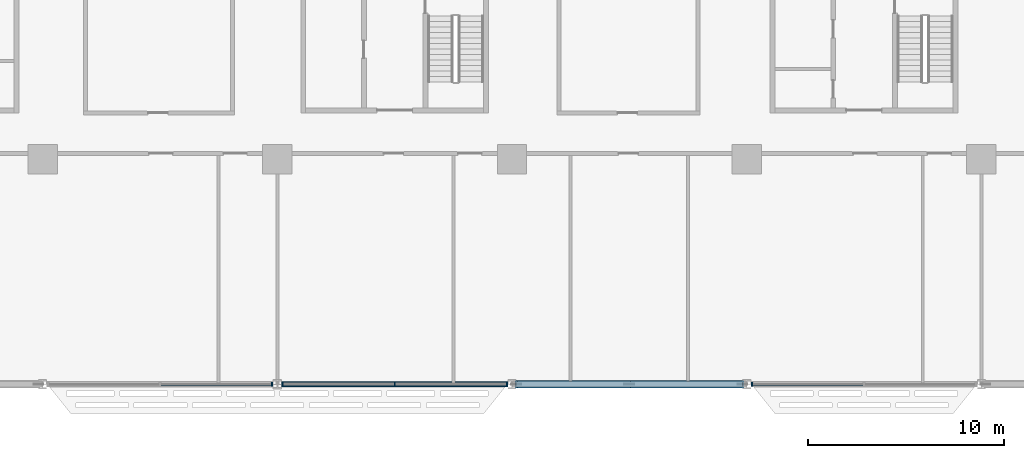
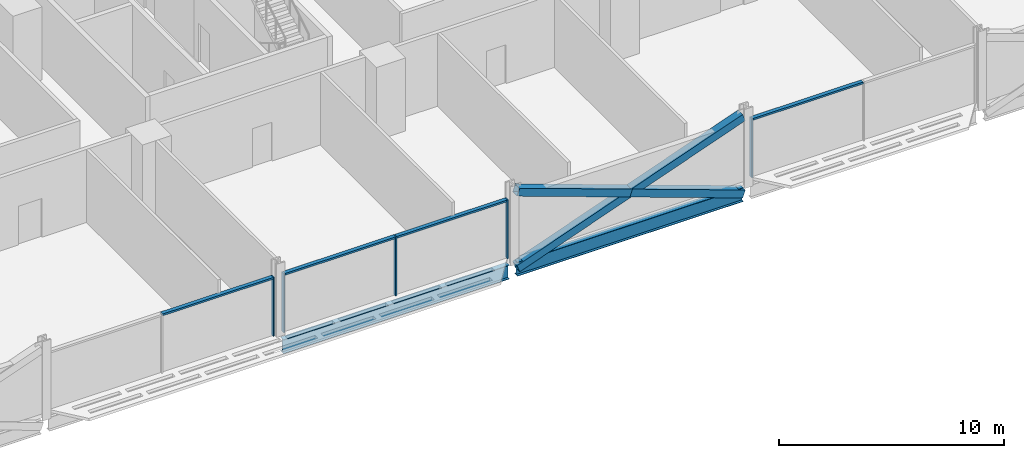
# One storey, part 5 of 29: 12 members, 2 beams, 3 elements without a shape of their own.
"""IFC4 building model written with IfcOpenShell, lengths in metres."""

from ifc_helpers import new_model, si_unit, direction, frame, origin, origin_2d, place, context, subcontext, project, spatial, rectangle, hollow_rectangle, i_section, extrude, material, material_profile, profile_set, type_object, element, aggregate, save


model = new_model("IFC4")

# Units and contexts
model_context = context("Model", 3, precision=1e-05, world=origin(), true_north=direction((0.0, 1.0)))
body_context = subcontext(model_context, "Body", "Model", "MODEL_VIEW")
ifc_project = project(units=[si_unit("LENGTHUNIT", "METRE"), si_unit("AREAUNIT", "SQUARE_METRE"), si_unit("VOLUMEUNIT", "CUBIC_METRE"), si_unit("PLANEANGLEUNIT", "RADIAN"), si_unit("MASSUNIT", "GRAM", prefix="KILO")], contexts=[model_context])

# Site, building, storey
site_placement = place(None, origin())
site = spatial("IfcSite", under=ifc_project, at=site_placement, CompositionType="ELEMENT")
building_placement = place(site_placement, origin())
building = spatial("IfcBuilding", under=site, at=building_placement, Name="Mahtab Terrace Research Tower", CompositionType="ELEMENT")
storey_placement = place(building_placement, frame((0.0, 0.0, 71.800048828125)))
storey = spatial("IfcBuildingStorey", under=building, at=storey_placement, Name="L16", CompositionType="ELEMENT", Elevation=71.800048828125)

# Members
ifc_material_1 = material(Name="Steel ASTM A500 Gr C", Category="steel")
ifc_material_profile_1 = material_profile(ifc_material_1, hollow_rectangle(XDim=0.406494140625, YDim=0.406494140625, WallThickness=0.01904296875, at=origin_2d()), Name="HSS16X16X3/4")
ifc_profile_set_1 = profile_set([ifc_material_profile_1], Name="Steel ASTM A500 Gr C")
member_type_1 = type_object("IfcMemberType", Name="HSS 16x16x3/4 brace XB161634", PredefinedType="BRACE", material=ifc_profile_set_1)
member_1_placement = place(storey_placement, frame((6.212158203125, -23.0, -0.642578125), z_axis=(0.94138021482, 0.0, 0.33734743388), x_axis=(0.0, 1.0, 0.0)))
element("IfcMember", 1, at=member_1_placement, inside=storey, type_object=member_type_1, Name="Exoskeleton brace L16 17 a", PredefinedType="BRACE", context=body_context, shape_type="SweptSolid", body=[
    extrude(hollow_rectangle(XDim=0.406494140625, YDim=0.406494140625, WallThickness=0.01904296875, at=origin_2d()), origin(), (0.0, 0.0, 1.0), 12.29638671875),
])
for number, where, z_axis, x_axis, name in (
    (2, (17.787841796875, -23.0, -0.642578125), (-0.941386519928, 0.0, 0.337329838731), (0.0, -1.0, 0.0), "Exoskeleton brace L16 17 b1"),
    (3, (12.0, -23.0, 1.431396484375), (-0.941373909467, 0.0, 0.337365028677), (0.0, -1.0, 0.0), "Exoskeleton brace L16 17 b2"),
):
    element("IfcMember", number, at=place(storey_placement, frame(where, z_axis=z_axis, x_axis=x_axis)), inside=storey, type_object=member_type_1, Name=name, PredefinedType="BRACE", context=body_context, shape_type="SweptSolid", body=[
        extrude(hollow_rectangle(XDim=0.406494140625, YDim=0.406494140625, WallThickness=0.01904296875, at=origin_2d()), origin(), (0.0, 0.0, 1.0), 6.148193359375),
    ])

# Curtain wall, member
ifc_material_2 = material(Name="Laboratory ribbon curtain wall")
curtain_wall_type = type_object("IfcCurtainWallType", Name="Laboratory ribbon curtain wall", PredefinedType="NOTDEFINED", material=ifc_material_2)
curtain_wall_1_placement = place(storey_placement, origin())
curtain_wall_1 = element("IfcCurtainWall", 4, at=curtain_wall_1_placement, inside=storey, type_object=curtain_wall_type, Name="EN.L16.13.25", PredefinedType="NOTDEFINED")
ifc_material_3 = material(Name="Natural anodised aluminium", Category="aluminium")
ifc_material_profile_2 = material_profile(ifc_material_3, rectangle(XDim=0.199951171875, YDim=0.06494140625, at=origin_2d()), Name="MULLION 65x200")
ifc_profile_set_2 = profile_set([ifc_material_profile_2], Name="Natural anodised aluminium")
member_type_2 = type_object("IfcMemberType", Name="Laboratory ribbon curtain wall mullion", PredefinedType="MULLION", material=ifc_profile_set_2)
member_2_placement = place(storey_placement, frame((-6.2705078125, -23.0, 0.0), z_axis=(0.0, 0.0, 1.0), x_axis=(0.0, 1.0, 0.0)))
member_2 = element("IfcMember", 5, at=member_2_placement, type_object=member_type_2, Name="CWL-2 mullion 3", PredefinedType="MULLION", context=body_context, shape_type="SweptSolid", body=[
    extrude(rectangle(XDim=0.199951171875, YDim=0.06494140625, at=origin_2d()), origin(), (0.0, 0.0, 1.0), 3.203125),
])

# Curtain wall, members
curtain_wall_2_placement = place(storey_placement, origin())
curtain_wall_2 = element("IfcCurtainWall", 6, at=curtain_wall_2_placement, inside=storey, type_object=curtain_wall_type, Name="EN.L16.13.26", PredefinedType="NOTDEFINED")
member_3_placement = place(storey_placement, frame((-5.7294921875, -23.0, 0.0), z_axis=(0.0, 0.0, 1.0), x_axis=(0.0, 1.0, 0.0)))
member_3 = element("IfcMember", 7, at=member_3_placement, type_object=member_type_2, Name="CWL-2 mullion 1", PredefinedType="MULLION", context=body_context, shape_type="SweptSolid", body=[
    extrude(rectangle(XDim=0.199951171875, YDim=0.06494140625, at=origin_2d()), origin(), (0.0, 0.0, 1.0), 3.203125),
])
member_4_placement = place(storey_placement, frame((0.0, -23.0, 0.0), z_axis=(0.0, 0.0, 1.0), x_axis=(0.0, 1.0, 0.0)))
member_4 = element("IfcMember", 8, at=member_4_placement, type_object=member_type_2, Name="CWL-2 mullion 2", PredefinedType="MULLION", context=body_context, shape_type="SweptSolid", body=[
    extrude(rectangle(XDim=0.199951171875, YDim=0.06494140625, at=origin_2d()), origin(), (0.0, 0.0, 1.0), 3.203125),
])
member_5_placement = place(storey_placement, frame((5.7294921875, -23.0, 0.0), z_axis=(0.0, 0.0, 1.0), x_axis=(0.0, 1.0, 0.0)))
member_5 = element("IfcMember", 9, at=member_5_placement, type_object=member_type_2, Name="CWL-2 mullion 3", PredefinedType="MULLION", context=body_context, shape_type="SweptSolid", body=[
    extrude(rectangle(XDim=0.199951171875, YDim=0.06494140625, at=origin_2d()), origin(), (0.0, 0.0, 1.0), 3.203125),
])

# Curtain wall, member
curtain_wall_3_placement = place(storey_placement, origin())
curtain_wall_3 = element("IfcCurtainWall", 10, at=curtain_wall_3_placement, inside=storey, type_object=curtain_wall_type, Name="EN.L16.13.28", PredefinedType="NOTDEFINED")
member_6_placement = place(storey_placement, frame((18.2705078125, -23.0, 0.0), z_axis=(0.0, 0.0, 1.0), x_axis=(0.0, 1.0, 0.0)))
member_6 = element("IfcMember", 11, at=member_6_placement, type_object=member_type_2, Name="CWL-2 mullion 1", PredefinedType="MULLION", context=body_context, shape_type="SweptSolid", body=[
    extrude(rectangle(XDim=0.199951171875, YDim=0.06494140625, at=origin_2d()), origin(), (0.0, 0.0, 1.0), 3.203125),
])

# Member
ifc_material_profile_3 = material_profile(ifc_material_3, rectangle(XDim=0.199951171875, YDim=0.10009765625, at=origin_2d()), Name="TRANSOM 100x200")
ifc_profile_set_3 = profile_set([ifc_material_profile_3], Name="Natural anodised aluminium")
member_type_3 = type_object("IfcMemberType", Name="Laboratory ribbon curtain wall transom", PredefinedType="USERDEFINED", material=ifc_profile_set_3)
member_7_placement = place(storey_placement, frame((-11.967529296875, -23.0, 3.153076171875), z_axis=(1.0, 0.0, 0.0), x_axis=(0.0, 1.0, 0.0)))
member_7 = element("IfcMember", 12, at=member_7_placement, type_object=member_type_3, Name="CWL-2 transom 2", ObjectType="TRANSOM", PredefinedType="USERDEFINED", context=body_context, shape_type="SweptSolid", body=[
    extrude(rectangle(XDim=0.199951171875, YDim=0.10009765625, at=origin_2d()), origin(), (0.0, 0.0, 1.0), 5.66455078125),
])

aggregate(curtain_wall_1, [member_2, member_7])

member_8_placement = place(storey_placement, frame((-5.697021484375, -23.0, 3.153076171875), z_axis=(1.0, 0.0, 0.0), x_axis=(0.0, 1.0, 0.0)))
member_8 = element("IfcMember", 13, at=member_8_placement, type_object=member_type_3, Name="CWL-2 transom 1", ObjectType="TRANSOM", PredefinedType="USERDEFINED", context=body_context, shape_type="SweptSolid", body=[
    extrude(rectangle(XDim=0.199951171875, YDim=0.10009765625, at=origin_2d()), origin(), (0.0, 0.0, 1.0), 5.66455078125),
])

member_9_placement = place(storey_placement, frame((0.032470703125, -23.0, 3.153076171875), z_axis=(1.0, 0.0, 0.0), x_axis=(0.0, 1.0, 0.0)))
member_9 = element("IfcMember", 14, at=member_9_placement, type_object=member_type_3, Name="CWL-2 transom 2", ObjectType="TRANSOM", PredefinedType="USERDEFINED", context=body_context, shape_type="SweptSolid", body=[
    extrude(rectangle(XDim=0.199951171875, YDim=0.10009765625, at=origin_2d()), origin(), (0.0, 0.0, 1.0), 5.66455078125),
])

aggregate(curtain_wall_2, [member_3, member_4, member_5, member_8, member_9])

member_10_placement = place(storey_placement, frame((18.302978515625, -23.0, 3.153076171875), z_axis=(1.0, 0.0, 0.0), x_axis=(0.0, 1.0, 0.0)))
member_10 = element("IfcMember", 15, at=member_10_placement, type_object=member_type_3, Name="CWL-2 transom 1", ObjectType="TRANSOM", PredefinedType="USERDEFINED", context=body_context, shape_type="SweptSolid", body=[
    extrude(rectangle(XDim=0.199951171875, YDim=0.10009765625, at=origin_2d()), origin(), (0.0, 0.0, 1.0), 5.66455078125),
])

aggregate(curtain_wall_3, [member_6, member_10])

# Beams
ifc_material_4 = material(Name="Steel ASTM A992 Gr 50", Category="steel")
ifc_material_profile_4 = material_profile(ifc_material_4, i_section(OverallWidth=0.2666015625, OverallDepth=0.7568359375, WebThickness=0.013916015625, FlangeThickness=0.019287109375, at=origin_2d()), Name="W30X108")
ifc_profile_set_4 = profile_set([ifc_material_profile_4], Name="Steel ASTM A992 Gr 50")
beam_type = type_object("IfcBeamType", Name="W30x108 beam BS30108", PredefinedType="BEAM", material=ifc_profile_set_4)
for number, where, z_axis, x_axis, name in (
    (16, (-5.787841796875, -23.0, -0.718505859375), (1.0, 0.0, 0.0), (0.0, 1.0, 0.0), "Spandrel beam L16 16"),
    (17, (6.212158203125, -23.0, -0.718505859375), (1.0, 0.0, 0.0), (0.0, 1.0, 0.0), "Spandrel beam L16 17"),
):
    element("IfcBeam", number, at=place(storey_placement, frame(where, z_axis=z_axis, x_axis=x_axis)), inside=storey, type_object=beam_type, Name=name, PredefinedType="BEAM", context=body_context, shape_type="SweptSolid", body=[
        extrude(i_section(OverallWidth=0.2666015625, OverallDepth=0.7568359375, WebThickness=0.013916015625, FlangeThickness=0.019287109375, at=origin_2d()), origin(), (0.0, 0.0, 1.0), 11.57568359375),
    ])

save(model, "model.ifc")
